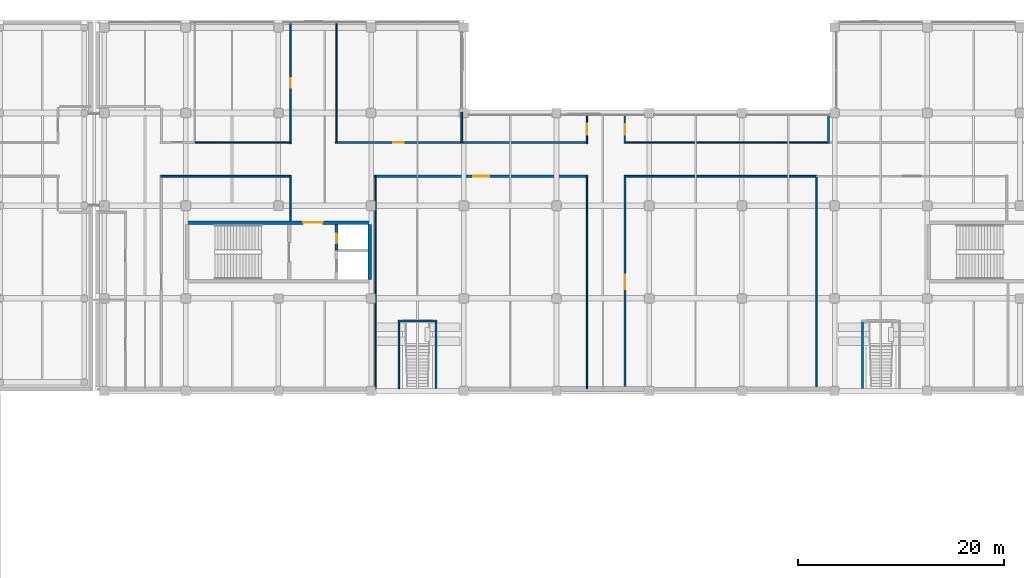
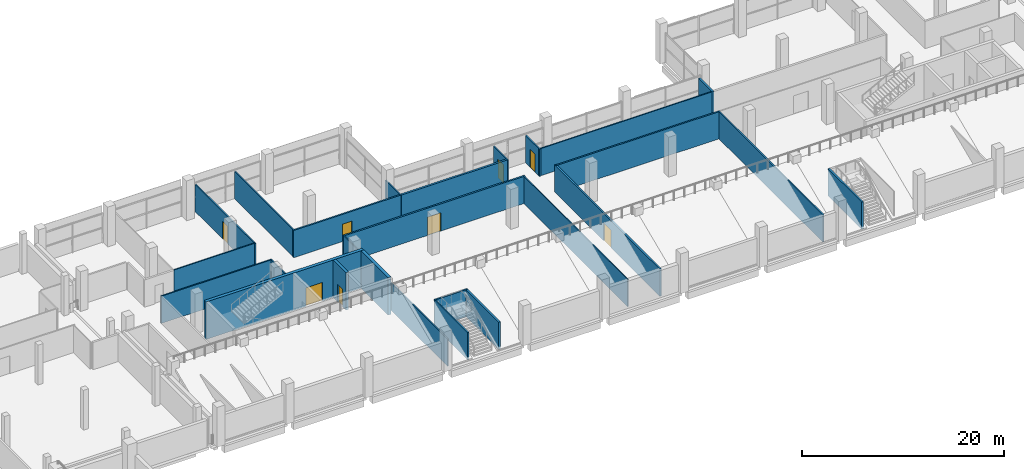
# One storey, part 68 of 100: 25 walls, 8 doors, 8 openings.
"""IFC4 building model written with IfcOpenShell, lengths in metres."""

from ifc_helpers import new_model, si_unit, direction, frame, frame_2d, origin, place, context, subcontext, project, spatial, rectangle, extrude, material, layer, layer_set, type_object, element, fill, save


model = new_model("IFC4")

# Units and contexts
model_context = context("Model", 3, precision=1e-05, world=origin(), true_north=direction((0.0, 1.0)))
body_context = subcontext(model_context, "Body", "Model", "MODEL_VIEW")
ifc_project = project(units=[si_unit("LENGTHUNIT", "METRE"), si_unit("AREAUNIT", "SQUARE_METRE"), si_unit("VOLUMEUNIT", "CUBIC_METRE"), si_unit("PLANEANGLEUNIT", "RADIAN"), si_unit("MASSUNIT", "GRAM", prefix="KILO"), si_unit("THERMODYNAMICTEMPERATUREUNIT", "KELVIN"), si_unit("POWERUNIT", "WATT")], contexts=[model_context])

# Site, building, storey
site_placement = place(None, origin())
site = spatial("IfcSite", under=ifc_project, at=site_placement, CompositionType="ELEMENT")
building_placement = place(site_placement, origin())
building = spatial("IfcBuilding", under=site, at=building_placement, Name="Sindhuravela Promenade Stadium", CompositionType="ELEMENT")
storey_placement = place(building_placement, frame((0.0, 0.0, 4.800048828125)))
storey = spatial("IfcBuildingStorey", under=building, at=storey_placement, Name="L01", CompositionType="ELEMENT", Elevation=4.800048828125)

# Wall
ifc_material_1 = material(Name="Fire-rated gypsum partition board", Category="gypsum")
ifc_layer_1 = layer(ifc_material_1, 0.110107421875)
ifc_layer_set_1 = layer_set([ifc_layer_1], Name="Fire-rated gypsum partition board")
wall_type_1 = type_object("IfcWallType", Name="IN-WL-PAR110", PredefinedType="PARTITIONING", material=ifc_layer_set_1)
wall_1_placement = place(storey_placement, frame((101.9599609375, 146.93994140625, 0.0), z_axis=(0.0, 0.0, 1.0), x_axis=(0.0, -1.0, 0.0)))
element("IfcWall", 1, at=wall_1_placement, inside=storey, type_object=wall_type_1, Name="Interior partition IW06 NORTH L01", PredefinedType="PARTITIONING", context=body_context, shape_type="SweptSolid", body=[
    extrude(rectangle(XDim=20.699951171875, YDim=0.110107421875, at=frame_2d((10.35009765625, 0.0))), origin(), (0.0, 0.0, 1.0), 3.280029296875),
])

# Wall, opening, door
wall_2_placement = place(storey_placement, frame((101.9599609375, 150.02001953125, 0.0), z_axis=(0.0, 0.0, 1.0), x_axis=(0.0, 1.0, 0.0)))
wall_2 = element("IfcWall", 2, at=wall_2_placement, inside=storey, type_object=wall_type_1, Name="Corridor partition IW06 North Concessions Store L01 6", PredefinedType="PARTITIONING", context=body_context, shape_type="SweptSolid", body=[
    extrude(rectangle(XDim=2.780029296875, YDim=0.110107421875, at=frame_2d((1.39013671875, 0.0))), origin(), (0.0, 0.0, 1.0), 3.280029296875),
])
opening_1_placement = place(wall_2_placement, frame((0.85009765625, 0.0, 0.0)))
opening_1 = element("IfcOpeningElement", 3, at=opening_1_placement, cuts=wall_2, Name="Opening ID12", PredefinedType="OPENING", context=body_context, shape_type="SweptSolid", body=[
    extrude(rectangle(XDim=1.080078125, YDim=2.179931640625, at=frame_2d((0.5400390625, 1.08984375))), frame((0.0, 0.06494140625, 0.0), z_axis=(0.0, -1.0, 0.0), x_axis=(1.0, 0.0, 0.0)), (0.0, 0.0, 1.0), 0.130126953125),
])
ifc_material_2 = material(Name="Architectural teak timber leaf", Category="wood")
door_type_1 = type_object("IfcDoorType", Name="DR-INT-1080x2180", OperationType="NOTDEFINED", PredefinedType="DOOR", material=ifc_material_2)
door_1_placement = place(opening_1_placement, origin())
door_1 = element("IfcDoor", 4, at=door_1_placement, inside=storey, type_object=door_type_1, Name="North Concessions Store L01 6 door", OperationType="SINGLE_SWING_RIGHT", OverallHeight=2.179931640625, OverallWidth=1.080078125, PredefinedType="DOOR", context=body_context, shape_type="SweptSolid", body=[
    extrude(rectangle(XDim=1.080078125, YDim=2.179931640625, at=frame_2d((0.5400390625, 1.08984375))), frame((0.0, 0.02490234375, 0.0), z_axis=(0.0, -1.0, 0.0), x_axis=(1.0, 0.0, 0.0)), (0.0, 0.0, 1.0), 0.050048828125),
])
fill(opening_1, door_1)

# Walls
ifc_layer_2 = layer(ifc_material_1, 0.1298828125)
ifc_layer_set_2 = layer_set([ifc_layer_2], Name="Fire-rated gypsum partition board")
wall_type_2 = type_object("IfcWallType", Name="IN-WL-PAR130", PredefinedType="PARTITIONING", material=ifc_layer_set_2)
wall_3_placement = place(storey_placement, frame((81.419921875, 126.239990234375, 0.0), z_axis=(0.0, 0.0, 1.0), x_axis=(0.0, 1.0, 0.0)))
element("IfcWall", 5, at=wall_3_placement, inside=storey, type_object=wall_type_2, Name="Interior partition IW05 NORTH L01", PredefinedType="PARTITIONING", context=body_context, shape_type="SweptSolid", body=[
    extrude(rectangle(XDim=20.699951171875, YDim=0.1298828125, at=frame_2d((10.35009765625, 0.0))), origin(), (0.0, 0.0, 1.0), 3.280029296875),
])
wall_4_placement = place(storey_placement, frame((73.159912109375, 146.93994140625, 0.0), z_axis=(0.0, 0.0, 1.0), x_axis=(0.0, -1.0, 0.0)))
element("IfcWall", 6, at=wall_4_placement, inside=storey, type_object=wall_type_2, Name="Interior partition IW05 NORTH L01", PredefinedType="PARTITIONING", context=body_context, shape_type="SweptSolid", body=[
    extrude(rectangle(XDim=4.412841796875, YDim=0.1298828125, at=frame_2d((2.20654296875, 0.0))), origin(), (0.0, 0.0, 1.0), 3.280029296875),
])
wall_5_placement = place(storey_placement, frame((77.639892578125, 150.06005859375, 0.0), z_axis=(0.0, 0.0, 1.0), x_axis=(0.0, 1.0, 0.0)))
element("IfcWall", 7, at=wall_5_placement, inside=storey, type_object=wall_type_2, Name="Interior partition IW05 NORTH L01", PredefinedType="PARTITIONING", context=body_context, shape_type="SweptSolid", body=[
    extrude(rectangle(XDim=11.70703125, YDim=0.1298828125, at=frame_2d((5.853515625, 0.0))), origin(), (0.0, 0.0, 1.0), 3.280029296875),
])
wall_6_placement = place(storey_placement, frame((73.239990234375, 150.139892578125, 0.0), z_axis=(0.0, 0.0, 1.0), x_axis=(-1.0, 0.0, 0.0)))
element("IfcWall", 8, at=wall_6_placement, inside=storey, type_object=wall_type_2, Name="Interior partition IW05 NORTH L01", PredefinedType="PARTITIONING", context=body_context, shape_type="SweptSolid", body=[
    extrude(rectangle(XDim=9.3349609375, YDim=0.1298828125, at=frame_2d((4.66748046875, 0.0))), origin(), (0.0, 0.0, 1.0), 3.280029296875),
])
wall_7_placement = place(storey_placement, frame((125.360107421875, 150.139892578125, 0.0), z_axis=(0.0, 0.0, 1.0), x_axis=(-1.0, 0.0, 0.0)))
element("IfcWall", 9, at=wall_7_placement, inside=storey, type_object=wall_type_2, Name="Interior partition IW05 NORTH L01", PredefinedType="PARTITIONING", context=body_context, shape_type="SweptSolid", body=[
    extrude(rectangle(XDim=19.800048828125, YDim=0.1298828125, at=frame_2d((9.89990234375, 0.0))), origin(), (0.0, 0.0, 1.0), 3.280029296875),
])
ifc_layer_3 = layer(ifc_material_1, 0.14990234375)
ifc_layer_set_3 = layer_set([ifc_layer_3], Name="Fire-rated gypsum partition board")
wall_type_3 = type_object("IfcWallType", Name="IN-WL-PAR150", PredefinedType="PARTITIONING", material=ifc_layer_set_3)
wall_8_placement = place(storey_placement, frame((83.699951171875, 132.8798828125, 0.0), z_axis=(0.0, 0.0, 1.0), x_axis=(0.0, -1.0, 0.0)))
element("IfcWall", 10, at=wall_8_placement, inside=storey, type_object=wall_type_3, Name="Interior partition IW04 NORTH L01", PredefinedType="PARTITIONING", context=body_context, shape_type="SweptSolid", body=[
    extrude(rectangle(XDim=6.639892578125, YDim=0.14990234375, at=frame_2d((3.31982421875, 0.0))), origin(), (0.0, 0.0, 1.0), 3.280029296875),
])
wall_9_placement = place(storey_placement, frame((124.23681640625, 146.93994140625, 0.0), z_axis=(0.0, 0.0, 1.0), x_axis=(0.0, -1.0, 0.0)))
element("IfcWall", 11, at=wall_9_placement, inside=storey, type_object=wall_type_3, Name="Interior partition IW04 NORTH L01", PredefinedType="PARTITIONING", context=body_context, shape_type="SweptSolid", body=[
    extrude(rectangle(XDim=20.699951171875, YDim=0.14990234375, at=frame_2d((10.35009765625, 0.0))), origin(), (0.0, 0.0, 1.0), 3.280029296875),
])
wall_10_placement = place(storey_placement, frame((60.56005859375, 146.860107421875, 0.0), z_axis=(0.0, 0.0, 1.0), x_axis=(1.0, 0.0, 0.0)))
element("IfcWall", 12, at=wall_10_placement, inside=storey, type_object=wall_type_3, Name="Interior partition IW04 NORTH L01", PredefinedType="PARTITIONING", context=body_context, shape_type="SweptSolid", body=[
    extrude(rectangle(XDim=12.679931640625, YDim=0.14990234375, at=frame_2d((6.33984375, 0.0))), origin(), (0.0, 0.0, 1.0), 3.280029296875),
])
wall_11_placement = place(storey_placement, frame((89.800048828125, 153.080078125, 0.0), z_axis=(0.0, 0.0, 1.0), x_axis=(0.0, -1.0, 0.0)))
element("IfcWall", 13, at=wall_11_placement, inside=storey, type_object=wall_type_3, Name="Interior partition IW04 NORTH L01", PredefinedType="PARTITIONING", context=body_context, shape_type="SweptSolid", body=[
    extrude(rectangle(XDim=3.02001953125, YDim=0.14990234375, at=frame_2d((1.510009765625, 0.0))), origin(), (0.0, 0.0, 1.0), 3.280029296875),
])

# Wall, opening, door
wall_12_placement = place(storey_placement, frame((73.159912109375, 150.02001953125, 0.0), z_axis=(0.0, 0.0, 1.0), x_axis=(0.0, 1.0, 0.0)))
wall_12 = element("IfcWall", 14, at=wall_12_placement, inside=storey, type_object=wall_type_3, Name="Corridor partition IW04 Concourse Food Kiosk North A 3", PredefinedType="PARTITIONING", context=body_context, shape_type="SweptSolid", body=[
    extrude(rectangle(XDim=11.780029296875, YDim=0.14990234375, at=frame_2d((5.89013671875, 0.0))), origin(), (0.0, 0.0, 1.0), 3.280029296875),
])
opening_2_placement = place(wall_12_placement, frame((5.4150390625, 0.0, 0.0)))
opening_2 = element("IfcOpeningElement", 15, at=opening_2_placement, cuts=wall_12, Name="Opening ID09", PredefinedType="OPENING", context=body_context, shape_type="SweptSolid", body=[
    extrude(rectangle(XDim=0.949951171875, YDim=2.10009765625, at=frame_2d((0.47509765625, 1.050048828125))), frame((0.0, 0.0849609375, 0.0), z_axis=(0.0, -1.0, 0.0), x_axis=(1.0, 0.0, 0.0)), (0.0, 0.0, 1.0), 0.169921875),
])
door_type_2 = type_object("IfcDoorType", Name="DR-INT-950x2100", OperationType="NOTDEFINED", PredefinedType="DOOR", material=ifc_material_2)
door_2_placement = place(opening_2_placement, origin())
door_2 = element("IfcDoor", 16, at=door_2_placement, inside=storey, type_object=door_type_2, Name="Concourse Food Kiosk North A 3 door", OperationType="SINGLE_SWING_LEFT", OverallHeight=2.10009765625, OverallWidth=0.949951171875, PredefinedType="DOOR", context=body_context, shape_type="SweptSolid", body=[
    extrude(rectangle(XDim=0.949951171875, YDim=2.10009765625, at=frame_2d((0.47509765625, 1.050048828125))), frame((0.0, 0.02490234375, 0.0), z_axis=(0.0, -1.0, 0.0), x_axis=(1.0, 0.0, 0.0)), (0.0, 0.0, 1.0), 0.050048828125),
])
fill(opening_2, door_2)

wall_13_placement = place(storey_placement, frame((105.639892578125, 152.800048828125, 0.0), z_axis=(0.0, 0.0, 1.0), x_axis=(0.0, -1.0, 0.0)))
wall_13 = element("IfcWall", 17, at=wall_13_placement, inside=storey, type_object=wall_type_3, Name="Corridor partition IW04 North Family Supporters Lounge 5", PredefinedType="PARTITIONING", context=body_context, shape_type="SweptSolid", body=[
    extrude(rectangle(XDim=2.780029296875, YDim=0.14990234375, at=frame_2d((1.39013671875, 0.0))), origin(), (0.0, 0.0, 1.0), 3.280029296875),
])
opening_3_placement = place(wall_13_placement, frame((0.8798828125, 0.0, 0.0)))
opening_3 = element("IfcOpeningElement", 18, at=opening_3_placement, cuts=wall_13, Name="Opening ID11", PredefinedType="OPENING", context=body_context, shape_type="SweptSolid", body=[
    extrude(rectangle(XDim=1.02001953125, YDim=2.159912109375, at=frame_2d((0.510009765625, 1.080078125))), frame((0.0, 0.0849609375, 0.0), z_axis=(0.0, -1.0, 0.0), x_axis=(1.0, 0.0, 0.0)), (0.0, 0.0, 1.0), 0.169921875),
])
door_type_3 = type_object("IfcDoorType", Name="DR-INT-1020x2160", OperationType="NOTDEFINED", PredefinedType="DOOR", material=ifc_material_2)
door_3_placement = place(opening_3_placement, origin())
door_3 = element("IfcDoor", 19, at=door_3_placement, inside=storey, type_object=door_type_3, Name="North Family Supporters Lounge 5 door", OperationType="SINGLE_SWING_LEFT", OverallHeight=2.159912109375, OverallWidth=1.02001953125, PredefinedType="DOOR", context=body_context, shape_type="SweptSolid", body=[
    extrude(rectangle(XDim=1.02001953125, YDim=2.159912109375, at=frame_2d((0.510009765625, 1.080078125))), frame((0.0, 0.02490234375, 0.0), z_axis=(0.0, -1.0, 0.0), x_axis=(1.0, 0.0, 0.0)), (0.0, 0.0, 1.0), 0.050048828125),
])
fill(opening_3, door_3)

# Walls
ifc_layer_4 = layer(ifc_material_1, 0.175048828125)
ifc_layer_set_4 = layer_set([ifc_layer_4], Name="Fire-rated gypsum partition board")
wall_type_4 = type_object("IfcWallType", Name="IN-WL-PAR175", PredefinedType="PARTITIONING", material=ifc_layer_set_4)
wall_14_placement = place(storey_placement, frame((87.3798828125, 132.800048828125, 0.0), z_axis=(0.0, 0.0, 1.0), x_axis=(-1.0, 0.0, 0.0)))
element("IfcWall", 20, at=wall_14_placement, inside=storey, type_object=wall_type_4, Name="Interior partition IW03 NORTH L01", PredefinedType="PARTITIONING", context=body_context, shape_type="SweptSolid", body=[
    extrude(rectangle(XDim=3.759765625, YDim=0.175048828125, at=frame_2d((1.8798828125, 0.0))), origin(), (0.0, 0.0, 1.0), 3.280029296875),
])
wall_15_placement = place(storey_placement, frame((105.56005859375, 146.860107421875, 0.0), z_axis=(0.0, 0.0, 1.0), x_axis=(1.0, 0.0, 0.0)))
element("IfcWall", 21, at=wall_15_placement, inside=storey, type_object=wall_type_4, Name="Interior partition IW03 NORTH L01", PredefinedType="PARTITIONING", context=body_context, shape_type="SweptSolid", body=[
    extrude(rectangle(XDim=18.63671875, YDim=0.175048828125, at=frame_2d((9.318359375, 0.0))), origin(), (0.0, 0.0, 1.0), 3.280029296875),
])

# Wall, opening, door
wall_16_placement = place(storey_placement, frame((77.52001953125, 150.139892578125, 0.0), z_axis=(0.0, 0.0, 1.0), x_axis=(1.0, 0.0, 0.0)))
wall_16 = element("IfcWall", 22, at=wall_16_placement, inside=storey, type_object=wall_type_4, Name="Corridor partition IW03 Public Toilet Block North L01", PredefinedType="PARTITIONING", context=body_context, shape_type="SweptSolid", body=[
    extrude(rectangle(XDim=12.280029296875, YDim=0.175048828125, at=frame_2d((6.14013671875, 0.0))), origin(), (0.0, 0.0, 1.0), 3.280029296875),
])
opening_4_placement = place(wall_16_placement, frame((5.614990234375, 0.0, 0.0)))
opening_4 = element("IfcOpeningElement", 23, at=opening_4_placement, cuts=wall_16, Name="Opening ID07", PredefinedType="OPENING", context=body_context, shape_type="SweptSolid", body=[
    extrude(rectangle(XDim=1.050048828125, YDim=2.10009765625, at=frame_2d((0.52490234375, 1.050048828125))), frame((0.0, 0.097412109375, 0.0), z_axis=(0.0, -1.0, 0.0), x_axis=(1.0, 0.0, 0.0)), (0.0, 0.0, 1.0), 0.195068359375),
])
door_type_4 = type_object("IfcDoorType", Name="DR-INT-1050x2100", OperationType="NOTDEFINED", PredefinedType="DOOR", material=ifc_material_2)
door_4_placement = place(opening_4_placement, origin())
door_4 = element("IfcDoor", 24, at=door_4_placement, inside=storey, type_object=door_type_4, Name="Public Toilet Block North L01 door", OperationType="SINGLE_SWING_LEFT", OverallHeight=2.10009765625, OverallWidth=1.050048828125, PredefinedType="DOOR", context=body_context, shape_type="SweptSolid", body=[
    extrude(rectangle(XDim=1.050048828125, YDim=2.10009765625, at=frame_2d((0.52490234375, 1.050048828125))), frame((0.0, 0.02490234375, 0.0), z_axis=(0.0, -1.0, 0.0), x_axis=(1.0, 0.0, 0.0)), (0.0, 0.0, 1.0), 0.050048828125),
])
fill(opening_4, door_4)

ifc_layer_5 = layer(ifc_material_1, 0.195068359375)
ifc_layer_set_5 = layer_set([ifc_layer_5], Name="Fire-rated gypsum partition board")
wall_type_5 = type_object("IfcWallType", Name="IN-WL-PAR195", PredefinedType="PARTITIONING", material=ifc_layer_set_5)
wall_17_placement = place(storey_placement, frame((102.080078125, 146.860107421875, 0.0), z_axis=(0.0, 0.0, 1.0), x_axis=(-1.0, 0.0, 0.0)))
wall_17 = element("IfcWall", 25, at=wall_17_placement, inside=storey, type_object=wall_type_5, Name="Corridor partition IW02 North Lower Concourse Hall", PredefinedType="PARTITIONING", context=body_context, shape_type="SweptSolid", body=[
    extrude(rectangle(XDim=20.780029296875, YDim=0.195068359375, at=frame_2d((10.39013671875, 0.0))), origin(), (0.0, 0.0, 1.0), 3.280029296875),
])
opening_5_placement = place(wall_17_placement, frame((9.614990234375, 0.0, 0.0)))
opening_5 = element("IfcOpeningElement", 26, at=opening_5_placement, cuts=wall_17, Name="Opening ID02", PredefinedType="OPENING", context=body_context, shape_type="SweptSolid", body=[
    extrude(rectangle(XDim=1.550048828125, YDim=2.199951171875, at=frame_2d((0.77490234375, 1.10009765625))), frame((0.0, 0.107421875, 0.0), z_axis=(0.0, -1.0, 0.0), x_axis=(1.0, 0.0, 0.0)), (0.0, 0.0, 1.0), 0.215087890625),
])
door_type_5 = type_object("IfcDoorType", Name="DR-INT-1550x2200", OperationType="DOUBLE_DOOR_SINGLE_SWING", PredefinedType="DOOR", material=ifc_material_2)
door_5_placement = place(opening_5_placement, origin())
door_5 = element("IfcDoor", 27, at=door_5_placement, inside=storey, type_object=door_type_5, Name="North Lower Concourse Hall door", OperationType="DOUBLE_DOOR_SINGLE_SWING", OverallHeight=2.199951171875, OverallWidth=1.550048828125, PredefinedType="DOOR", context=body_context, shape_type="SweptSolid", body=[
    extrude(rectangle(XDim=1.550048828125, YDim=2.199951171875, at=frame_2d((0.77490234375, 1.10009765625))), frame((0.0, 0.02490234375, 0.0), z_axis=(0.0, -1.0, 0.0), x_axis=(1.0, 0.0, 0.0)), (0.0, 0.0, 1.0), 0.050048828125),
])
fill(opening_5, door_5)

wall_18_placement = place(storey_placement, frame((105.639892578125, 146.97998046875, 0.0), z_axis=(0.0, 0.0, 1.0), x_axis=(0.0, -1.0, 0.0)))
wall_18 = element("IfcWall", 28, at=wall_18_placement, inside=storey, type_object=wall_type_5, Name="Corridor partition IW02 Concourse Food Kiosk North A", PredefinedType="PARTITIONING", context=body_context, shape_type="SweptSolid", body=[
    extrude(rectangle(XDim=20.780029296875, YDim=0.195068359375, at=frame_2d((10.39013671875, 0.0))), origin(), (0.0, 0.0, 1.0), 3.280029296875),
])
opening_6_placement = place(wall_18_placement, frame((9.68994140625, 0.0, 0.0)))
opening_6 = element("IfcOpeningElement", 29, at=opening_6_placement, cuts=wall_18, Name="Opening ID03", PredefinedType="OPENING", context=body_context, shape_type="SweptSolid", body=[
    extrude(rectangle(XDim=1.39990234375, YDim=2.14990234375, at=frame_2d((0.699951171875, 1.074951171875))), frame((0.0, 0.107421875, 0.0), z_axis=(0.0, -1.0, 0.0), x_axis=(1.0, 0.0, 0.0)), (0.0, 0.0, 1.0), 0.215087890625),
])
door_type_6 = type_object("IfcDoorType", Name="DR-INT-1400x2150", OperationType="DOUBLE_DOOR_SINGLE_SWING", PredefinedType="DOOR", material=ifc_material_2)
door_6_placement = place(opening_6_placement, origin())
door_6 = element("IfcDoor", 30, at=door_6_placement, inside=storey, type_object=door_type_6, Name="Concourse Food Kiosk North A door", OperationType="DOUBLE_DOOR_SINGLE_SWING", OverallHeight=2.14990234375, OverallWidth=1.39990234375, PredefinedType="DOOR", context=body_context, shape_type="SweptSolid", body=[
    extrude(rectangle(XDim=1.39990234375, YDim=2.14990234375, at=frame_2d((0.699951171875, 1.074951171875))), frame((0.0, 0.02490234375, 0.0), z_axis=(0.0, -1.0, 0.0), x_axis=(1.0, 0.0, 0.0)), (0.0, 0.0, 1.0), 0.050048828125),
])
fill(opening_6, door_6)

# Walls
wall_19_placement = place(storey_placement, frame((128.699951171875, 132.8798828125, 0.0), z_axis=(0.0, 0.0, 1.0), x_axis=(0.0, -1.0, 0.0)))
element("IfcWall", 31, at=wall_19_placement, inside=storey, type_object=wall_type_5, Name="Interior partition IW02 NORTH L01", PredefinedType="PARTITIONING", context=body_context, shape_type="SweptSolid", body=[
    extrude(rectangle(XDim=6.639892578125, YDim=0.195068359375, at=frame_2d((3.31982421875, 0.0))), origin(), (0.0, 0.0, 1.0), 3.280029296875),
])
wall_20_placement = place(storey_placement, frame((125.39990234375, 150.06005859375, 0.0), z_axis=(0.0, 0.0, 1.0), x_axis=(0.0, 1.0, 0.0)))
element("IfcWall", 32, at=wall_20_placement, inside=storey, type_object=wall_type_5, Name="Interior partition IW02 NORTH L01", PredefinedType="PARTITIONING", context=body_context, shape_type="SweptSolid", body=[
    extrude(rectangle(XDim=2.70703125, YDim=0.195068359375, at=frame_2d((1.353515625, 0.0))), origin(), (0.0, 0.0, 1.0), 3.280029296875),
])
ifc_layer_6 = layer(ifc_material_1, 0.219970703125)
ifc_layer_set_6 = layer_set([ifc_layer_6], Name="Fire-rated gypsum partition board")
wall_type_6 = type_object("IfcWallType", Name="IN-WL-PAR220", PredefinedType="PARTITIONING", material=ifc_layer_set_6)
wall_21_placement = place(storey_placement, frame((87.300048828125, 126.239990234375, 0.0), z_axis=(0.0, 0.0, 1.0), x_axis=(0.0, 1.0, 0.0)))
element("IfcWall", 33, at=wall_21_placement, inside=storey, type_object=wall_type_6, Name="Interior partition IW01 NORTH L01", PredefinedType="PARTITIONING", context=body_context, shape_type="SweptSolid", body=[
    extrude(rectangle(XDim=6.639892578125, YDim=0.219970703125, at=frame_2d((3.31982421875, 0.0))), origin(), (0.0, 0.0, 1.0), 3.280029296875),
])
wall_22_placement = place(storey_placement, frame((102.0400390625, 150.139892578125, 0.0), z_axis=(0.0, 0.0, 1.0), x_axis=(-1.0, 0.0, 0.0)))
element("IfcWall", 34, at=wall_22_placement, inside=storey, type_object=wall_type_6, Name="Interior partition IW01 NORTH L01", PredefinedType="PARTITIONING", context=body_context, shape_type="SweptSolid", body=[
    extrude(rectangle(XDim=12.199951171875, YDim=0.219970703125, at=frame_2d((6.10009765625, 0.0))), origin(), (0.0, 0.0, 1.0), 3.280029296875),
])

# Wall, opening, door
ifc_material_3 = material(Name="Concrete M50", Category="concrete")
ifc_layer_7 = layer(ifc_material_3, 0.300048828125)
ifc_layer_set_7 = layer_set([ifc_layer_7], Name="Concrete M50")
wall_type_7 = type_object("IfcWallType", Name="RC-SW-300", PredefinedType="SHEAR", material=ifc_layer_set_7)
wall_23_placement = place(storey_placement, frame((77.64990234375, 139.64990234375, 0.0), z_axis=(0.0, 0.0, 1.0), x_axis=(0.0, 1.0, 0.0)))
wall_23 = element("IfcWall", 35, at=wall_23_placement, inside=storey, type_object=wall_type_7, Name="Core shear wall C09-RSR (L01)", PredefinedType="SHEAR", context=body_context, shape_type="SweptSolid", body=[
    extrude(rectangle(XDim=2.525146484375, YDim=0.300048828125, at=frame_2d((1.2626953125, 0.0))), origin(), (0.0, 0.0, 1.0), 4.52001953125),
])
opening_7_placement = place(wall_23_placement, frame((0.72509765625, 0.0, 0.0)))
opening_7 = element("IfcOpeningElement", 36, at=opening_7_placement, cuts=wall_23, Name="Opening FD03", PredefinedType="OPENING", context=body_context, shape_type="SweptSolid", body=[
    extrude(rectangle(XDim=0.89990234375, YDim=2.10009765625, at=frame_2d((0.449951171875, 1.050048828125))), frame((0.0, 0.159912109375, 0.0), z_axis=(0.0, -1.0, 0.0), x_axis=(1.0, 0.0, 0.0)), (0.0, 0.0, 1.0), 0.320068359375),
])
ifc_material_4 = material(Name="Architectural wrought steel E350", Category="steel")
door_type_7 = type_object("IfcDoorType", Name="DR-RSR-900x2100", OperationType="NOTDEFINED", PredefinedType="DOOR", material=ifc_material_4)
door_7_placement = place(opening_7_placement, origin())
door_7 = element("IfcDoor", 37, at=door_7_placement, inside=storey, type_object=door_type_7, Name="Riser shaft access door C09 (L01)", OperationType="SINGLE_SWING_RIGHT", OverallHeight=2.10009765625, OverallWidth=0.89990234375, PredefinedType="DOOR", context=body_context, shape_type="SweptSolid", body=[
    extrude(rectangle(XDim=0.89990234375, YDim=2.10009765625, at=frame_2d((0.449951171875, 1.050048828125))), frame((0.0, 0.02490234375, 0.0), z_axis=(0.0, -1.0, 0.0), x_axis=(1.0, 0.0, 0.0)), (0.0, 0.0, 1.0), 0.050048828125),
])
fill(opening_7, door_7)

ifc_layer_8 = layer(ifc_material_3, 0.35009765625)
ifc_layer_set_8 = layer_set([ifc_layer_8], Name="Concrete M50")
wall_type_8 = type_object("IfcWallType", Name="RC-SW-350", PredefinedType="SHEAR", material=ifc_layer_set_8)
wall_24_placement = place(storey_placement, frame((81.0, 142.35009765625, 0.0), z_axis=(0.0, 0.0, 1.0), x_axis=(-1.0, 0.0, 0.0)))
wall_24 = element("IfcWall", 38, at=wall_24_placement, inside=storey, type_object=wall_type_8, Name="Core shear wall C09-N (L01)", PredefinedType="SHEAR", context=body_context, shape_type="SweptSolid", body=[
    extrude(rectangle(XDim=18.0, YDim=0.35009765625, at=frame_2d((9.0, 0.0))), origin(), (0.0, 0.0, 1.0), 4.52001953125),
])
opening_8_placement = place(wall_24_placement, frame((4.699951171875, 0.0, 0.0)))
opening_8 = element("IfcOpeningElement", 39, at=opening_8_placement, cuts=wall_24, Name="Opening FD02", PredefinedType="OPENING", context=body_context, shape_type="SweptSolid", body=[
    extrude(rectangle(XDim=1.89990234375, YDim=2.25, at=frame_2d((0.949951171875, 1.125))), frame((0.0, 0.18505859375, 0.0), z_axis=(0.0, -1.0, 0.0), x_axis=(1.0, 0.0, 0.0)), (0.0, 0.0, 1.0), 0.3701171875),
])
door_type_8 = type_object("IfcDoorType", Name="DR-LOB-1900x2250", OperationType="DOUBLE_DOOR_SINGLE_SWING", PredefinedType="DOOR", material=ifc_material_4)
door_8_placement = place(opening_8_placement, origin())
door_8 = element("IfcDoor", 40, at=door_8_placement, inside=storey, type_object=door_type_8, Name="Protected lobby entrance door C09 (L01)", OperationType="DOUBLE_DOOR_SINGLE_SWING", OverallHeight=2.25, OverallWidth=1.89990234375, PredefinedType="DOOR", context=body_context, shape_type="SweptSolid", body=[
    extrude(rectangle(XDim=1.89990234375, YDim=2.25, at=frame_2d((0.949951171875, 1.125))), frame((0.0, 0.02490234375, 0.0), z_axis=(0.0, -1.0, 0.0), x_axis=(1.0, 0.0, 0.0)), (0.0, 0.0, 1.0), 0.050048828125),
])
fill(opening_8, door_8)

# Wall
wall_25_placement = place(storey_placement, frame((80.85009765625, 136.824951171875, 0.0), z_axis=(0.0, 0.0, 1.0), x_axis=(0.0, 1.0, 0.0)))
element("IfcWall", 41, at=wall_25_placement, inside=storey, type_object=wall_type_8, Name="Core shear wall C09-E (L01)", PredefinedType="SHEAR", context=body_context, shape_type="SweptSolid", body=[
    extrude(rectangle(XDim=5.35009765625, YDim=0.35009765625, at=frame_2d((2.675048828125, 0.0))), origin(), (0.0, 0.0, 1.0), 4.52001953125),
])

save(model, "model.ifc")
